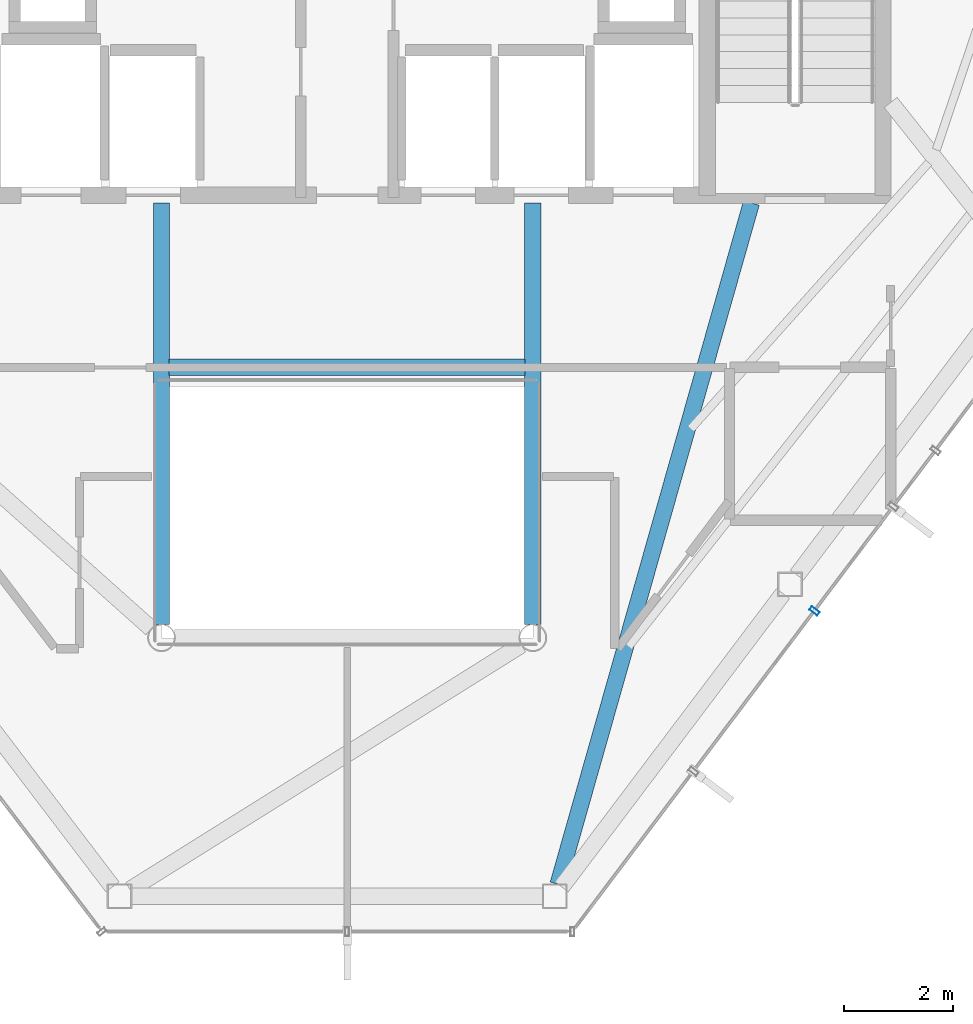
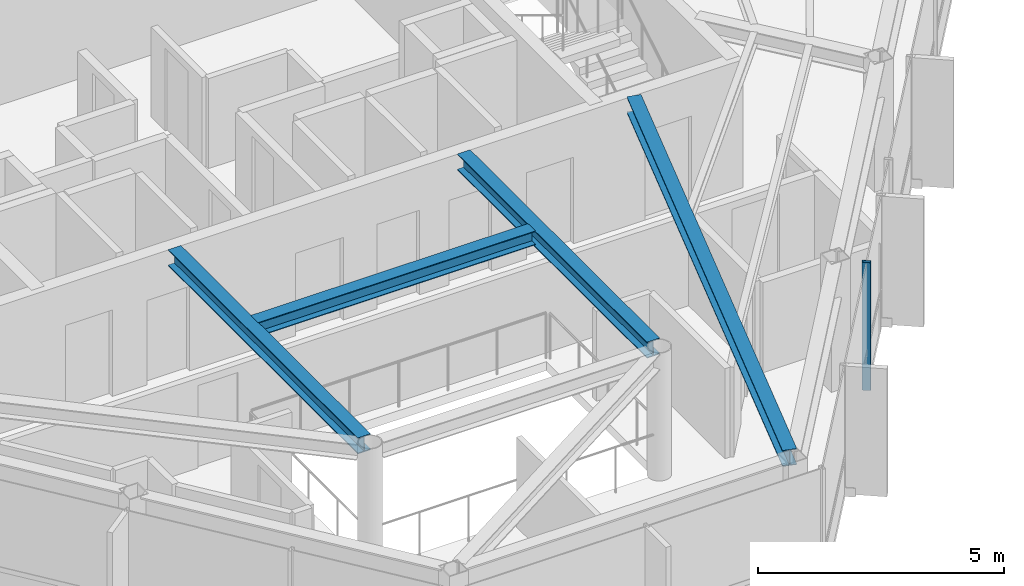
# One storey, part 8 of 23: 4 beams, 1 member, 1 element without a shape of its own.
"""IFC4 building model written with IfcOpenShell, lengths in metres."""

from ifc_helpers import new_model, si_unit, direction, frame, origin, origin_2d, place, context, subcontext, project, spatial, hollow_rectangle, i_section, extrude, material, layer, layer_set, material_profile, profile_set, type_object, element, aggregate, save


model = new_model("IFC4")

# Units and contexts
model_context = context("Model", 3, precision=1e-05, world=origin(), true_north=direction((0.0, 1.0)))
body_context = subcontext(model_context, "Body", "Model", "MODEL_VIEW")
ifc_project = project(units=[si_unit("LENGTHUNIT", "METRE"), si_unit("AREAUNIT", "SQUARE_METRE"), si_unit("VOLUMEUNIT", "CUBIC_METRE"), si_unit("PLANEANGLEUNIT", "RADIAN"), si_unit("MASSUNIT", "GRAM", prefix="KILO")], contexts=[model_context])

# Site, building, storey
site_placement = place(None, origin())
site = spatial("IfcSite", under=ifc_project, at=site_placement, CompositionType="ELEMENT")
building_placement = place(site_placement, origin())
building = spatial("IfcBuilding", under=site, at=building_placement, Name="Zarrinselat Tower", CompositionType="ELEMENT")
storey_placement = place(building_placement, frame((0.0, 0.0, 278.800048828125)))
storey = spatial("IfcBuildingStorey", under=building, at=storey_placement, Name="L71", CompositionType="ELEMENT", Elevation=278.800048828125)

# Beams
ifc_material_1 = material(Name="Steel S355J2", Category="steel")
ifc_material_profile_1 = material_profile(ifc_material_1, i_section(OverallWidth=0.300048828125, OverallDepth=0.35009765625, WebThickness=0.010009765625, FlangeThickness=0.017578125, at=origin_2d()), Name="HEA 360")
ifc_profile_set_1 = profile_set([ifc_material_profile_1], Name="Steel S355J2")
beam_type_1 = type_object("IfcBeamType", Name="BM-HEA360", PredefinedType="LINTEL", material=ifc_profile_set_1)
beam_1_placement = place(storey_placement, frame((35.139892578125, 30.14990234375, 3.0048828125), z_axis=(1.0, 0.0, 0.0), x_axis=(0.0, 1.0, 0.0)))
element("IfcBeam", 1, at=beam_1_placement, inside=storey, type_object=beam_type_1, Name="L71 Lift Lobby Ceiling Beam", PredefinedType="LINTEL", context=body_context, shape_type="SweptSolid", body=[
    extrude(i_section(OverallWidth=0.300048828125, OverallDepth=0.35009765625, WebThickness=0.010009765625, FlangeThickness=0.017578125, at=origin_2d()), origin(), (0.0, 0.0, 1.0), 6.52001953125),
])
ifc_material_2 = material(Name="Steel S355J2", Category="steel")
ifc_material_profile_2 = material_profile(ifc_material_2, i_section(OverallWidth=0.300048828125, OverallDepth=0.39990234375, WebThickness=0.013427734375, FlangeThickness=0.02392578125, at=origin_2d()), Name="HEB 400")
ifc_profile_set_2 = profile_set([ifc_material_profile_2], Name="Steel S355J2")
beam_type_2 = type_object("IfcBeamType", Name="BM-HEB400", PredefinedType="BEAM", material=ifc_profile_set_2)
for number, where, z_axis, x_axis, name in (
    (2, (35.0, 25.43994140625, 2.97998046875), (0.0, 1.0, 0.0), (-1.0, 0.0, 0.0), "L71 Atrium Edge Beam W"),
    (3, (41.800048828125, 25.43994140625, 2.97998046875), (0.0, 1.0, 0.0), (-1.0, 0.0, 0.0), "L71 Atrium Edge Beam E"),
):
    element("IfcBeam", number, at=place(storey_placement, frame(where, z_axis=z_axis, x_axis=x_axis)), inside=storey, type_object=beam_type_2, Name=name, PredefinedType="BEAM", context=body_context, shape_type="SweptSolid", body=[
        extrude(i_section(OverallWidth=0.300048828125, OverallDepth=0.39990234375, WebThickness=0.013427734375, FlangeThickness=0.02392578125, at=origin_2d()), origin(), (0.0, 0.0, 1.0), 7.719970703125),
    ])
beam_2_placement = place(storey_placement, frame((42.260986328125, 20.6875, 2.97998046875), z_axis=(0.272974718051, 0.962021207305, 0.0), x_axis=(-0.962021207305, 0.272974718051, 0.0)))
element("IfcBeam", 4, at=beam_2_placement, inside=storey, type_object=beam_type_2, Name="L71 Radial Primary Girder RG11", PredefinedType="BEAM", context=body_context, shape_type="SweptSolid", body=[
    extrude(i_section(OverallWidth=0.300048828125, OverallDepth=0.39990234375, WebThickness=0.013427734375, FlangeThickness=0.02392578125, at=origin_2d()), origin(), (0.0, 0.0, 1.0), 12.96484375),
])

# Curtain wall, member
ifc_material_3 = material(Name="Extruded Aluminium Alloy EN AW-6063 T6", Category="aluminium")
ifc_layer = layer(ifc_material_3, 0.199951171875)
ifc_layer_set = layer_set([ifc_layer], Name="Extruded Aluminium Alloy EN AW-6063 T6")
curtain_wall_type = type_object("IfcCurtainWallType", Name="CWS-BLADE", PredefinedType="NOTDEFINED", material=ifc_layer_set)
curtain_wall_placement = place(storey_placement, origin())
curtain_wall = element("IfcCurtainWall", 5, at=curtain_wall_placement, inside=storey, type_object=curtain_wall_type, Name="L71 Unitised Curtain Wall CW-L71-E05", PredefinedType="NOTDEFINED")
ifc_material_4 = material(Name="Extruded Aluminium Alloy EN AW-6063 T6", Category="aluminium")
ifc_material_profile_3 = material_profile(ifc_material_4, hollow_rectangle(XDim=0.080078125, YDim=0.179931640625, WallThickness=0.0048828125, at=origin_2d()), Name="RHS 180x80x5")
ifc_profile_set_3 = profile_set([ifc_material_profile_3], Name="Extruded Aluminium Alloy EN AW-6063 T6")
member_type = type_object("IfcMemberType", Name="MEM-CW-MUL", PredefinedType="MULLION", material=ifc_profile_set_3)
member_placement = place(storey_placement, frame((46.95458984375, 25.69091796875, 0.0), z_axis=(0.0, 0.0, 1.0), x_axis=(0.602445101176, 0.798160322284, 0.0)))
member = element("IfcMember", 6, at=member_placement, type_object=member_type, Name="CW-L71-E05 Mullion 2", PredefinedType="MULLION", context=body_context, shape_type="SweptSolid", body=[
    extrude(hollow_rectangle(XDim=0.080078125, YDim=0.179931640625, WallThickness=0.0048828125, at=origin_2d()), origin(), (0.0, 0.0, 1.0), 3.179931640625),
])
aggregate(curtain_wall, [member])

save(model, "model.ifc")
